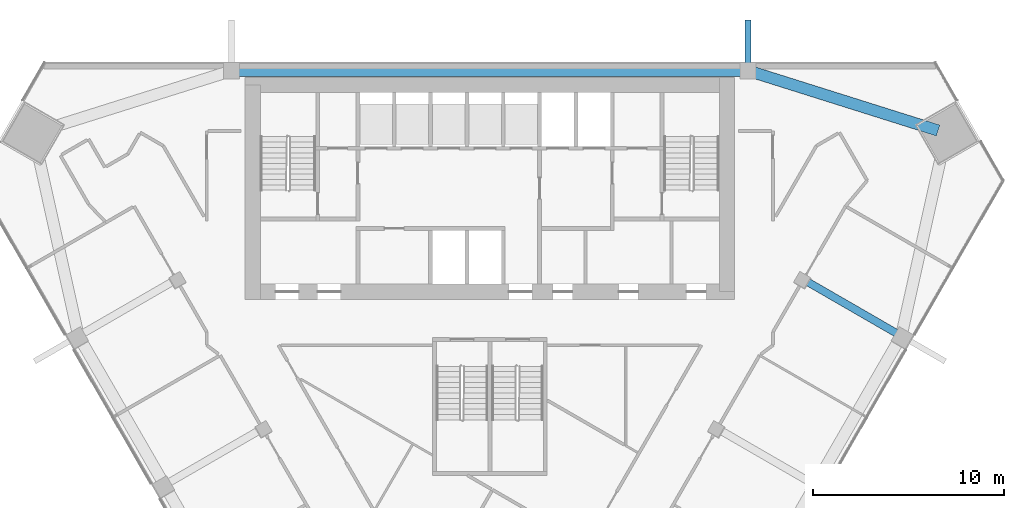
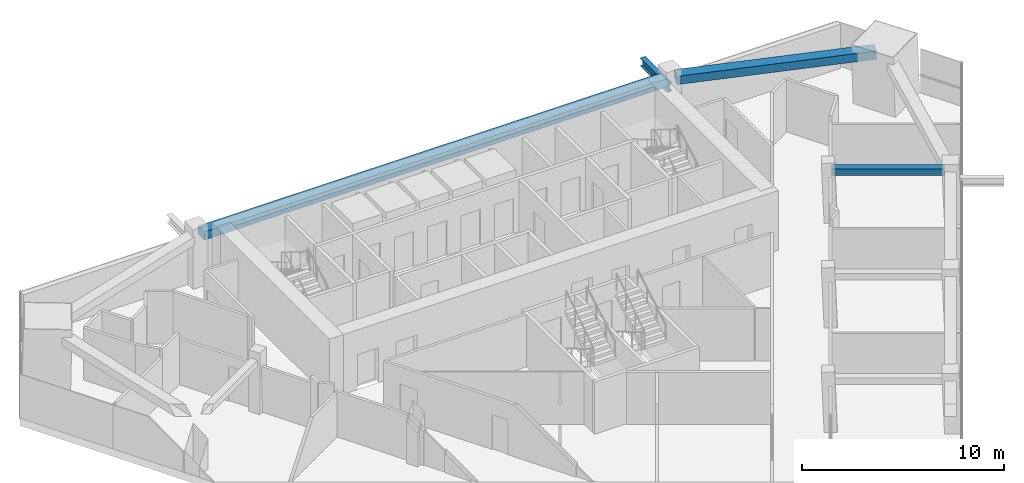
# One storey, part 6 of 13: 3 beams, 1 member.
"""IFC4 building model written with IfcOpenShell, lengths in metres."""

from ifc_helpers import new_model, si_unit, direction, frame, origin, origin_2d, place, context, subcontext, project, spatial, rectangle, i_section, extrude, material, material_profile, profile_set, type_object, element, save


model = new_model("IFC4")

# Units and contexts
model_context = context("Model", 3, precision=1e-05, world=origin(), true_north=direction((0.0, 1.0)))
body_context = subcontext(model_context, "Body", "Model", "MODEL_VIEW")
ifc_project = project(units=[si_unit("LENGTHUNIT", "METRE"), si_unit("AREAUNIT", "SQUARE_METRE"), si_unit("VOLUMEUNIT", "CUBIC_METRE"), si_unit("PLANEANGLEUNIT", "RADIAN"), si_unit("MASSUNIT", "GRAM", prefix="KILO")], contexts=[model_context])

# Site, building, storey
site_placement = place(None, origin())
site = spatial("IfcSite", under=ifc_project, at=site_placement, CompositionType="ELEMENT")
building_placement = place(site_placement, origin())
building = spatial("IfcBuilding", under=site, at=building_placement, Name="Altiplano Prism Tower", CompositionType="ELEMENT")
storey_placement = place(building_placement, frame((0.0, 0.0, 160.199951171875)))
storey = spatial("IfcBuildingStorey", under=building, at=storey_placement, Name="L41", CompositionType="ELEMENT", Elevation=160.199951171875)

# Member
ifc_material_1 = material(Name="Steel S355", Category="steel")
ifc_material_profile_1 = material_profile(ifc_material_1, i_section(OverallWidth=0.300048828125, OverallDepth=0.5, WebThickness=0.014404296875, FlangeThickness=0.028076171875, FilletRadius=0.027099609375, at=origin_2d()), Name="Brace bracket HEB 500")
ifc_profile_set_1 = profile_set([ifc_material_profile_1], Name="Steel S355")
member_type = type_object("IfcMemberType", Name="Brace bracket HEB 500", PredefinedType="STRUT", material=ifc_profile_set_1)
member_placement = place(storey_placement, frame((98.5, 104.550048828125, 2.306640625), z_axis=(0.0, 1.0, 0.0), x_axis=(-1.0, 0.0, 0.0)))
element("IfcMember", 1, at=member_placement, inside=storey, type_object=member_type, Name="Brace bracket 0.163.8", PredefinedType="STRUT", context=body_context, shape_type="SweptSolid", body=[
    extrude(i_section(OverallWidth=0.300048828125, OverallDepth=0.5, WebThickness=0.014404296875, FlangeThickness=0.028076171875, FilletRadius=0.027099609375, at=origin_2d()), origin(), (0.0, 0.0, 1.0), 2.64990234375),
])

# Beams
ifc_material_2 = material(Name="Concrete C60/75", Category="concrete")
ifc_material_profile_2 = material_profile(ifc_material_2, rectangle(XDim=0.60009765625, YDim=0.5, at=origin_2d()), Name="Edge beam 600x500")
ifc_profile_set_2 = profile_set([ifc_material_profile_2], Name="Concrete C60/75")
beam_type_1 = type_object("IfcBeamType", Name="Edge beam 600x500", PredefinedType="SPANDREL", material=ifc_profile_set_2)
beam_1_placement = place(storey_placement, frame((108.432373046875, 101.421630859375, 2.900146484375), z_axis=(-0.953809678379, 0.300411546767, 0.0), x_axis=(-0.300411546767, -0.953809678379, 0.0)))
element("IfcBeam", 2, at=beam_1_placement, inside=storey, type_object=beam_type_1, Name="Edge beam M2-P01 L42", PredefinedType="SPANDREL", context=body_context, shape_type="SweptSolid", body=[
    extrude(rectangle(XDim=0.60009765625, YDim=0.5, at=origin_2d()), origin(), (0.0, 0.0, 1.0), 10.114013671875),
])
beam_2_placement = place(storey_placement, frame((98.219970703125, 104.550048828125, 2.900146484375), z_axis=(-1.0, 0.0, 0.0), x_axis=(0.0, -1.0, 0.0)))
element("IfcBeam", 3, at=beam_2_placement, inside=storey, type_object=beam_type_1, Name="Edge beam P01-P04 L42", PredefinedType="SPANDREL", context=body_context, shape_type="SweptSolid", body=[
    extrude(rectangle(XDim=0.60009765625, YDim=0.5, at=origin_2d()), origin(), (0.0, 0.0, 1.0), 26.43994140625),
])
ifc_material_profile_3 = material_profile(ifc_material_2, rectangle(XDim=0.39990234375, YDim=0.39990234375, at=origin_2d()), Name="Tie beam 400x400")
ifc_profile_set_3 = profile_set([ifc_material_profile_3], Name="Concrete C60/75")
beam_type_2 = type_object("IfcBeamType", Name="Tie beam 400x400", PredefinedType="BEAM", material=ifc_profile_set_3)
beam_3_placement = place(storey_placement, frame((101.423583984375, 93.6162109375, 2.949951171875), z_axis=(0.866011758658, -0.500023633308, 0.0), x_axis=(0.500023633308, 0.866011758658, 0.0)))
element("IfcBeam", 4, at=beam_3_placement, inside=storey, type_object=beam_type_2, Name="Tie beam I24 L42", PredefinedType="BEAM", context=body_context, shape_type="SweptSolid", body=[
    extrude(rectangle(XDim=0.39990234375, YDim=0.39990234375, at=origin_2d()), origin(), (0.0, 0.0, 1.0), 5.590087890625),
])

save(model, "model.ifc")
